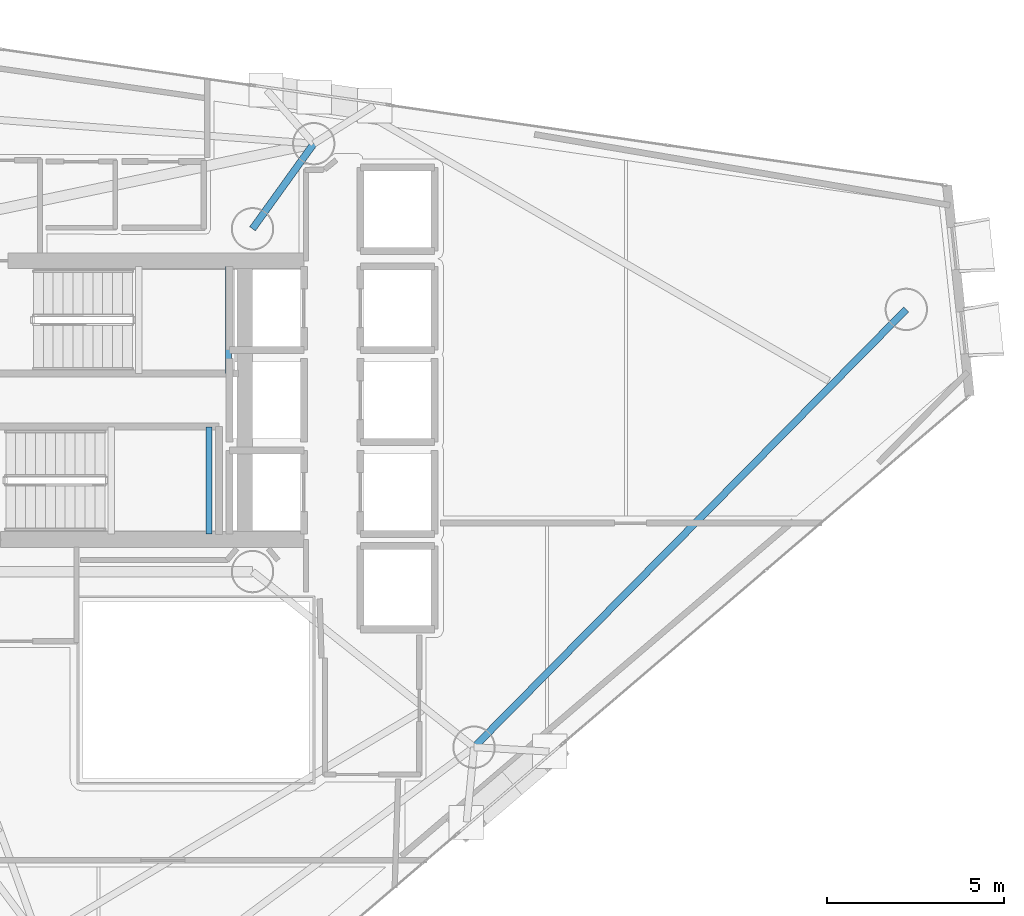
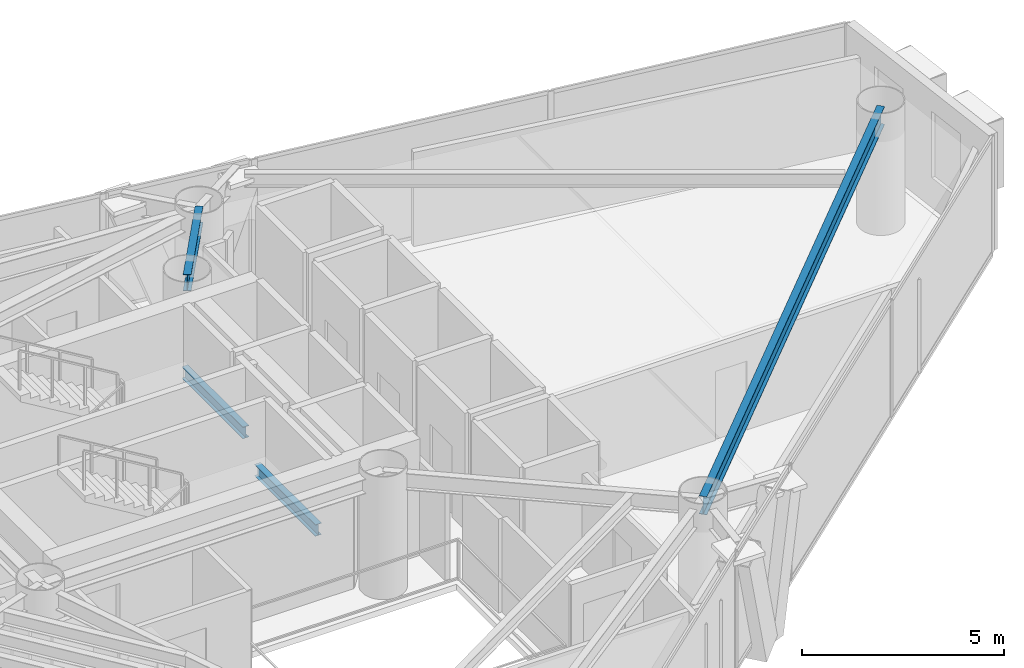
# One storey, part 12 of 23: 4 beams.
"""IFC4 building model written with IfcOpenShell, lengths in metres."""

from ifc_helpers import new_model, si_unit, direction, frame, origin, origin_2d, place, context, subcontext, project, spatial, i_section, extrude, material, material_profile, profile_set, type_object, element, save


model = new_model("IFC4")

# Units and contexts
model_context = context("Model", 3, precision=1e-05, world=origin(), true_north=direction((0.0, 1.0)))
body_context = subcontext(model_context, "Body", "Model", "MODEL_VIEW")
ifc_project = project(units=[si_unit("LENGTHUNIT", "METRE"), si_unit("AREAUNIT", "SQUARE_METRE"), si_unit("VOLUMEUNIT", "CUBIC_METRE"), si_unit("PLANEANGLEUNIT", "RADIAN"), si_unit("MASSUNIT", "GRAM", prefix="KILO")], contexts=[model_context])

# Site, building, storey
site_placement = place(None, origin())
site = spatial("IfcSite", under=ifc_project, at=site_placement, CompositionType="ELEMENT")
building_placement = place(site_placement, origin())
building = spatial("IfcBuilding", under=site, at=building_placement, Name="Qianvela Tower", CompositionType="ELEMENT")
storey_placement = place(building_placement, frame((0.0, 0.0, 215.10009765625)))
storey = spatial("IfcBuildingStorey", under=building, at=storey_placement, Name="L55", CompositionType="ELEMENT", Elevation=215.10009765625)

# Beams
ifc_material_1 = material(Name="Steel Q355B", Category="steel")
ifc_material_profile_1 = material_profile(ifc_material_1, i_section(OverallWidth=0.175048828125, OverallDepth=0.35009765625, WebThickness=0.007080078125, FlangeThickness=0.010986328125, at=origin_2d()), Name="HN350x175x7x11")
ifc_profile_set_1 = profile_set([ifc_material_profile_1], Name="Steel Q355B")
beam_type_1 = type_object("IfcBeamType", Name="BM-HN350-JOIST", PredefinedType="JOIST", material=ifc_profile_set_1)
for number, where, z_axis, x_axis, name in (
    (1, (37.719970703125, 29.4599609375, 1.474853515625), (0.0, 1.0, 0.0), (-1.0, 0.0, 0.0), "L55 Stair ST-1 Landing Support Beam 1.2"),
    (2, (37.169921875, 24.919921875, 1.474853515625), (0.0, 1.0, 0.0), (-1.0, 0.0, 0.0), "L55 Stair ST-2 Landing Support Beam 1.2"),
):
    element("IfcBeam", number, at=place(storey_placement, frame(where, z_axis=z_axis, x_axis=x_axis)), inside=storey, type_object=beam_type_1, Name=name, PredefinedType="JOIST", context=body_context, shape_type="SweptSolid", body=[
        extrude(i_section(OverallWidth=0.175048828125, OverallDepth=0.35009765625, WebThickness=0.007080078125, FlangeThickness=0.010986328125, at=origin_2d()), origin(), (0.0, 0.0, 1.0), 3.02001953125),
    ])
ifc_material_2 = material(Name="Steel Q355B", Category="steel")
ifc_material_profile_2 = material_profile(ifc_material_2, i_section(OverallWidth=0.199951171875, OverallDepth=0.5, WebThickness=0.010009765625, FlangeThickness=0.01611328125, at=origin_2d()), Name="HN500x200x10x16")
ifc_profile_set_2 = profile_set([ifc_material_profile_2], Name="Steel Q355B")
beam_type_2 = type_object("IfcBeamType", Name="BM-HN500-GIRD", PredefinedType="BEAM", material=ifc_profile_set_2)
beam_1_placement = place(storey_placement, frame((38.39990234375, 33.550048828125, 3.267822265625), z_axis=(0.583742907536, 0.811938555496, 0.0), x_axis=(-0.811938555496, 0.583742907536, 0.0)))
element("IfcBeam", 3, at=beam_1_placement, inside=storey, type_object=beam_type_2, Name="L55 Radial Primary Floor Girder 2", PredefinedType="BEAM", context=body_context, shape_type="SweptSolid", body=[
    extrude(i_section(OverallWidth=0.199951171875, OverallDepth=0.5, WebThickness=0.010009765625, FlangeThickness=0.01611328125, at=origin_2d()), origin(), (0.0, 0.0, 1.0), 2.965576171875),
])
ifc_material_3 = material(Name="Steel Q355B", Category="steel")
ifc_material_profile_3 = material_profile(ifc_material_3, i_section(OverallWidth=0.199951171875, OverallDepth=0.550048828125, WebThickness=0.010009765625, FlangeThickness=0.01611328125, at=origin_2d()), Name="HN550x200x10x16")
ifc_profile_set_3 = profile_set([ifc_material_profile_3], Name="Steel Q355B")
beam_type_3 = type_object("IfcBeamType", Name="BM-HN550-GIRD", PredefinedType="BEAM", material=ifc_profile_set_3)
beam_2_placement = place(storey_placement, frame((44.6669921875, 18.883056640625, 3.242919921875), z_axis=(0.702583270685, 0.711601537205, 0.0), x_axis=(-0.711601537205, 0.702583270685, 0.0)))
element("IfcBeam", 4, at=beam_2_placement, inside=storey, type_object=beam_type_3, Name="L55 Perimeter Ring Spandrel Girder 6", PredefinedType="BEAM", context=body_context, shape_type="SweptSolid", body=[
    extrude(i_section(OverallWidth=0.199951171875, OverallDepth=0.550048828125, WebThickness=0.010009765625, FlangeThickness=0.01611328125, at=origin_2d()), origin(), (0.0, 0.0, 1.0), 17.4072265625),
])

save(model, "model.ifc")
